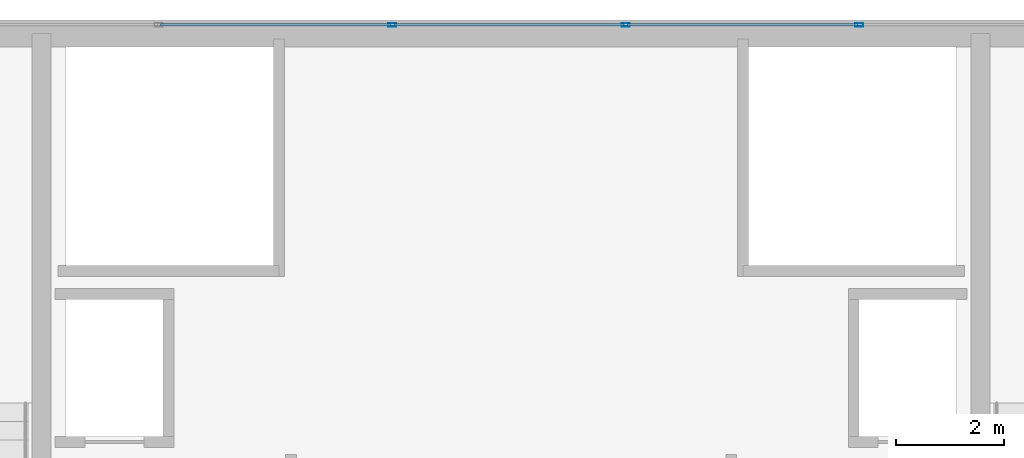
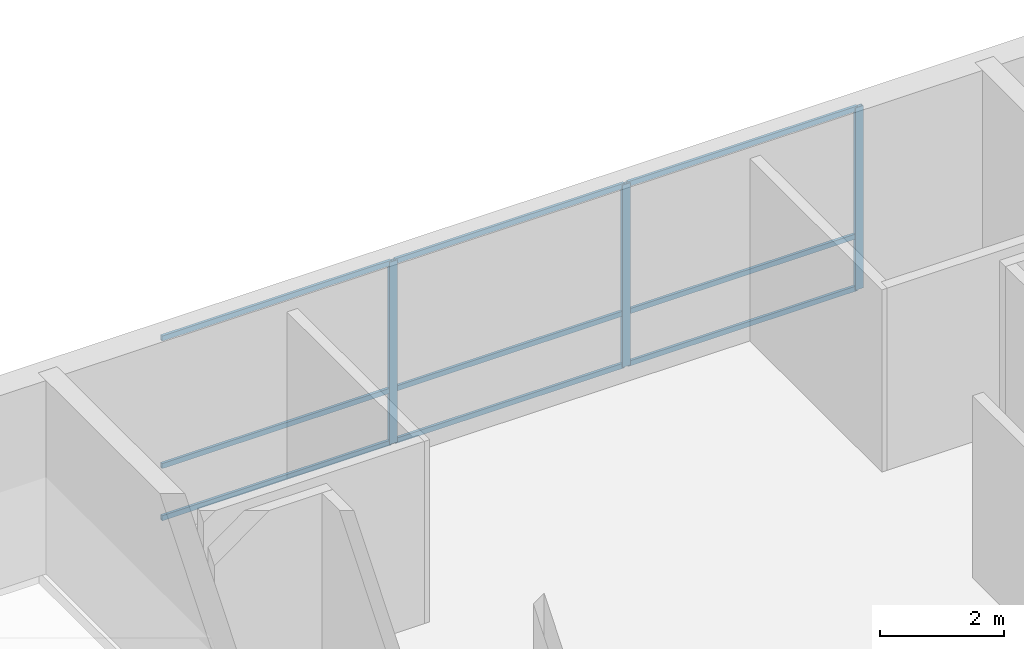
# One storey, part 27 of 36: 12 members, 1 element without a shape of its own.
"""IFC4 building model written with IfcOpenShell, lengths in metres."""

from ifc_helpers import new_model, si_unit, direction, frame, origin, origin_2d, place, context, subcontext, project, spatial, hollow_rectangle, extrude, source, transform, mapped, material, layer, layer_set, material_profile, profile_set, type_object, type_shapes, element, aggregate, save


model = new_model("IFC4")

# Units and contexts
model_context = context("Model", 3, precision=1e-05, world=origin(), true_north=direction((0.0, 1.0)))
body_context = subcontext(model_context, "Body", "Model", "MODEL_VIEW")
ifc_project = project(units=[si_unit("LENGTHUNIT", "METRE"), si_unit("AREAUNIT", "SQUARE_METRE"), si_unit("VOLUMEUNIT", "CUBIC_METRE"), si_unit("PLANEANGLEUNIT", "RADIAN"), si_unit("MASSUNIT", "GRAM", prefix="KILO")], contexts=[model_context])

# Site, building, storey
site_placement = place(None, origin())
site = spatial("IfcSite", under=ifc_project, at=site_placement, CompositionType="ELEMENT")
building_placement = place(site_placement, origin())
building = spatial("IfcBuilding", under=site, at=building_placement, Name="Tolvann Quenvar Hotel", CompositionType="ELEMENT")
storey_placement = place(building_placement, frame((0.0, 0.0, 306.14990234375)))
storey = spatial("IfcBuildingStorey", under=building, at=storey_placement, Name="L81", CompositionType="ELEMENT", Elevation=306.14990234375)

# Curtain wall, members
ifc_material_1 = material(Name="Thermally broken anodised architectural aluminium 6063-T6 and laminated low-E glass", Category="aluminium")
ifc_layer = layer(ifc_material_1, 0.179931640625)
ifc_layer_set = layer_set([ifc_layer], Name="Thermally broken anodised architectural aluminium 6063-T6 and laminated low-E glass")
curtain_wall_type = type_object("IfcCurtainWallType", Name="CW_SYS_LANT_06", PredefinedType="USERDEFINED", material=ifc_layer_set)
curtain_wall_placement = place(storey_placement, origin())
curtain_wall = element("IfcCurtainWall", 1, at=curtain_wall_placement, inside=storey, type_object=curtain_wall_type, Name="Curtain Wall CW-LANT-06 (CWR-L81-E14)", ObjectType="UNITISED CURTAIN WALL", PredefinedType="USERDEFINED")
ifc_material_2 = material(Name="Anodised architectural aluminium 6063-T6 framing", Category="aluminium")
ifc_material_profile_1 = material_profile(ifc_material_2, hollow_rectangle(XDim=0.06494140625, YDim=0.14990234375, WallThickness=0.00390625, at=origin_2d()), Name="150x65x4RHS")
ifc_profile_set_1 = profile_set([ifc_material_profile_1], Name="Anodised architectural aluminium 6063-T6 framing")
member_type_1 = type_object("IfcMemberType", Name="CW_MULL_150x65", PredefinedType="MULLION", material=ifc_profile_set_1)
shared_shape_1 = source(origin(), body_context, "Body", "SweptSolid", [
    extrude(hollow_rectangle(XDim=0.06494140625, YDim=0.14990234375, WallThickness=0.00390625, at=origin_2d()), origin(), (0.0, 0.0, 1.0), 3.580078125),
])
type_shapes(member_type_1, [shared_shape_1])
member_1_placement = place(storey_placement, frame((29.455078125, 44.110107421875, 0.0), z_axis=(0.0, 0.0, 1.0), x_axis=(0.0, -1.0, 0.0)))
member_1 = element("IfcMember", 2, at=member_1_placement, type_object=member_type_1, Name="CW-LANT-06 mullion 2", PredefinedType="MULLION", context=body_context, shape_type="MappedRepresentation", body=[
    mapped(shared_shape_1, transform((0.0, 0.0, 0.0), x_axis=(1.0, 0.0, 0.0), y_axis=(0.0, 1.0, 0.0), z_axis=(0.0, 0.0, 1.0), scale=1.0)),
])
member_2_placement = place(storey_placement, frame((25.127685546875, 44.110107421875, 0.0), z_axis=(0.0, 0.0, 1.0), x_axis=(0.0, -1.0, 0.0)))
member_2 = element("IfcMember", 3, at=member_2_placement, type_object=member_type_1, Name="CW-LANT-06 mullion 3", PredefinedType="MULLION", context=body_context, shape_type="MappedRepresentation", body=[
    mapped(shared_shape_1, transform((0.0, 0.0, 0.0), x_axis=(1.0, 0.0, 0.0), y_axis=(0.0, 1.0, 0.0), z_axis=(0.0, 0.0, 1.0), scale=1.0)),
])
member_3_placement = place(storey_placement, frame((20.800048828125, 44.110107421875, 0.0), z_axis=(0.0, 0.0, 1.0), x_axis=(0.0, -1.0, 0.0)))
member_3 = element("IfcMember", 4, at=member_3_placement, type_object=member_type_1, Name="CW-LANT-06 mullion 4", PredefinedType="MULLION", context=body_context, shape_type="MappedRepresentation", body=[
    mapped(shared_shape_1, transform((0.0, 0.0, 0.0), x_axis=(1.0, 0.0, 0.0), y_axis=(0.0, 1.0, 0.0), z_axis=(0.0, 0.0, 1.0), scale=1.0)),
])
ifc_material_profile_2 = material_profile(ifc_material_2, hollow_rectangle(XDim=0.050048828125, YDim=0.10009765625, WallThickness=0.0029296875, at=origin_2d()), Name="100x50x3RHS")
ifc_profile_set_2 = profile_set([ifc_material_profile_2], Name="Anodised architectural aluminium 6063-T6 framing")
member_type_2 = type_object("IfcMemberType", Name="CW_TRAN_100x50", PredefinedType="USERDEFINED", material=ifc_profile_set_2)
shared_shape_2 = source(origin(), body_context, "Body", "SweptSolid", [
    extrude(hollow_rectangle(XDim=0.050048828125, YDim=0.10009765625, WallThickness=0.0029296875, at=origin_2d()), origin(), (0.0, 0.0, 1.0), 4.2626953125),
])
member_4_placement = place(storey_placement, frame((25.09521484375, 44.110107421875, 0.025146484375), z_axis=(-1.0, 0.0, 0.0), x_axis=(0.0, -1.0, 0.0)))
member_4 = element("IfcMember", 5, at=member_4_placement, type_object=member_type_2, Name="CW-LANT-06 transom 3.1", ObjectType="TRANSOM", PredefinedType="USERDEFINED", context=body_context, shape_type="MappedRepresentation", body=[
    mapped(shared_shape_2, transform((0.0, 0.0, 0.0), x_axis=(1.0, 0.0, 0.0), y_axis=(0.0, 1.0, 0.0), z_axis=(0.0, 0.0, 1.0), scale=1.0)),
])
member_5_placement = place(storey_placement, frame((25.09521484375, 44.110107421875, 1.050048828125), z_axis=(-1.0, 0.0, 0.0), x_axis=(0.0, -1.0, 0.0)))
member_5 = element("IfcMember", 6, at=member_5_placement, type_object=member_type_2, Name="CW-LANT-06 transom 3.2", ObjectType="TRANSOM", PredefinedType="USERDEFINED", context=body_context, shape_type="MappedRepresentation", body=[
    mapped(shared_shape_2, transform((0.0, 0.0, 0.0), x_axis=(1.0, 0.0, 0.0), y_axis=(0.0, 1.0, 0.0), z_axis=(0.0, 0.0, 1.0), scale=1.0)),
])
member_6_placement = place(storey_placement, frame((25.09521484375, 44.110107421875, 3.55517578125), z_axis=(-1.0, 0.0, 0.0), x_axis=(0.0, -1.0, 0.0)))
member_6 = element("IfcMember", 7, at=member_6_placement, type_object=member_type_2, Name="CW-LANT-06 transom 3.3", ObjectType="TRANSOM", PredefinedType="USERDEFINED", context=body_context, shape_type="MappedRepresentation", body=[
    mapped(shared_shape_2, transform((0.0, 0.0, 0.0), x_axis=(1.0, 0.0, 0.0), y_axis=(0.0, 1.0, 0.0), z_axis=(0.0, 0.0, 1.0), scale=1.0)),
])
member_7_placement = place(storey_placement, frame((20.767578125, 44.110107421875, 0.025146484375), z_axis=(-1.0, 0.0, 0.0), x_axis=(0.0, -1.0, 0.0)))
member_7 = element("IfcMember", 8, at=member_7_placement, type_object=member_type_2, Name="CW-LANT-06 transom 4.1", ObjectType="TRANSOM", PredefinedType="USERDEFINED", context=body_context, shape_type="MappedRepresentation", body=[
    mapped(shared_shape_2, transform((0.0, 0.0, 0.0), x_axis=(1.0, 0.0, 0.0), y_axis=(0.0, 1.0, 0.0), z_axis=(0.0, 0.0, 1.0), scale=1.0)),
])
member_8_placement = place(storey_placement, frame((20.767578125, 44.110107421875, 1.050048828125), z_axis=(-1.0, 0.0, 0.0), x_axis=(0.0, -1.0, 0.0)))
member_8 = element("IfcMember", 9, at=member_8_placement, type_object=member_type_2, Name="CW-LANT-06 transom 4.2", ObjectType="TRANSOM", PredefinedType="USERDEFINED", context=body_context, shape_type="MappedRepresentation", body=[
    mapped(shared_shape_2, transform((0.0, 0.0, 0.0), x_axis=(1.0, 0.0, 0.0), y_axis=(0.0, 1.0, 0.0), z_axis=(0.0, 0.0, 1.0), scale=1.0)),
])
member_9_placement = place(storey_placement, frame((20.767578125, 44.110107421875, 3.55517578125), z_axis=(-1.0, 0.0, 0.0), x_axis=(0.0, -1.0, 0.0)))
member_9 = element("IfcMember", 10, at=member_9_placement, type_object=member_type_2, Name="CW-LANT-06 transom 4.3", ObjectType="TRANSOM", PredefinedType="USERDEFINED", context=body_context, shape_type="MappedRepresentation", body=[
    mapped(shared_shape_2, transform((0.0, 0.0, 0.0), x_axis=(1.0, 0.0, 0.0), y_axis=(0.0, 1.0, 0.0), z_axis=(0.0, 0.0, 1.0), scale=1.0)),
])
shared_shape_3 = source(origin(), body_context, "Body", "SweptSolid", [
    extrude(hollow_rectangle(XDim=0.050048828125, YDim=0.10009765625, WallThickness=0.0029296875, at=origin_2d()), origin(), (0.0, 0.0, 1.0), 4.262451171875),
])
type_shapes(member_type_2, [shared_shape_2, shared_shape_3])
member_10_placement = place(storey_placement, frame((29.422607421875, 44.110107421875, 0.025146484375), z_axis=(-1.0, 0.0, 0.0), x_axis=(0.0, -1.0, 0.0)))
member_10 = element("IfcMember", 11, at=member_10_placement, type_object=member_type_2, Name="CW-LANT-06 transom 2.1", ObjectType="TRANSOM", PredefinedType="USERDEFINED", context=body_context, shape_type="MappedRepresentation", body=[
    mapped(shared_shape_3, transform((0.0, 0.0, 0.0), x_axis=(1.0, 0.0, 0.0), y_axis=(0.0, 1.0, 0.0), z_axis=(0.0, 0.0, 1.0), scale=1.0)),
])
member_11_placement = place(storey_placement, frame((29.422607421875, 44.110107421875, 1.050048828125), z_axis=(-1.0, 0.0, 0.0), x_axis=(0.0, -1.0, 0.0)))
member_11 = element("IfcMember", 12, at=member_11_placement, type_object=member_type_2, Name="CW-LANT-06 transom 2.2", ObjectType="TRANSOM", PredefinedType="USERDEFINED", context=body_context, shape_type="MappedRepresentation", body=[
    mapped(shared_shape_3, transform((0.0, 0.0, 0.0), x_axis=(1.0, 0.0, 0.0), y_axis=(0.0, 1.0, 0.0), z_axis=(0.0, 0.0, 1.0), scale=1.0)),
])
member_12_placement = place(storey_placement, frame((29.422607421875, 44.110107421875, 3.55517578125), z_axis=(-1.0, 0.0, 0.0), x_axis=(0.0, -1.0, 0.0)))
member_12 = element("IfcMember", 13, at=member_12_placement, type_object=member_type_2, Name="CW-LANT-06 transom 2.3", ObjectType="TRANSOM", PredefinedType="USERDEFINED", context=body_context, shape_type="MappedRepresentation", body=[
    mapped(shared_shape_3, transform((0.0, 0.0, 0.0), x_axis=(1.0, 0.0, 0.0), y_axis=(0.0, 1.0, 0.0), z_axis=(0.0, 0.0, 1.0), scale=1.0)),
])
aggregate(curtain_wall, [member_1, member_2, member_3, member_10, member_11, member_12, member_4, member_5, member_6, member_7, member_8, member_9])

save(model, "model.ifc")
